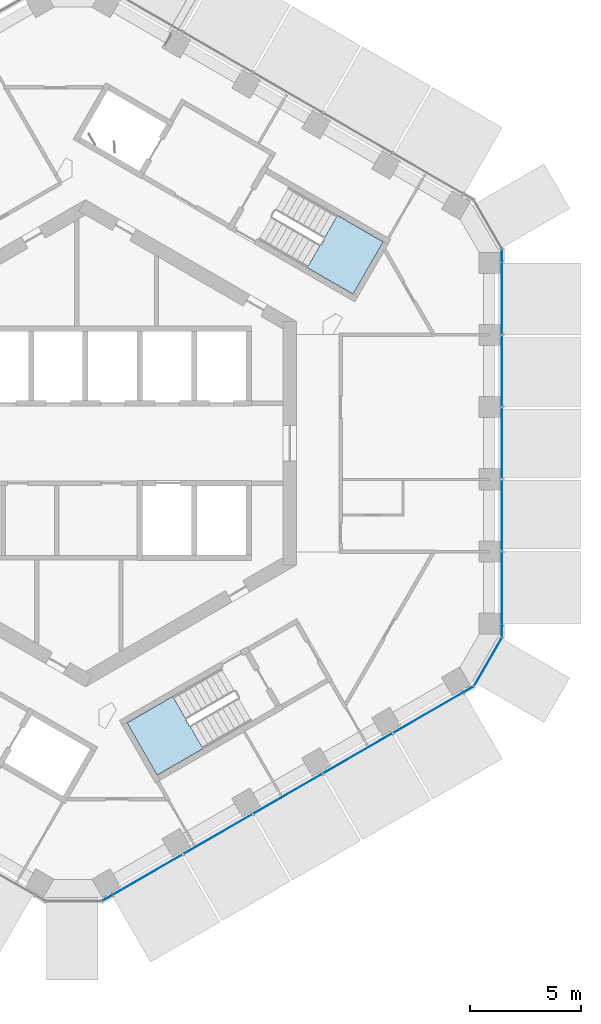
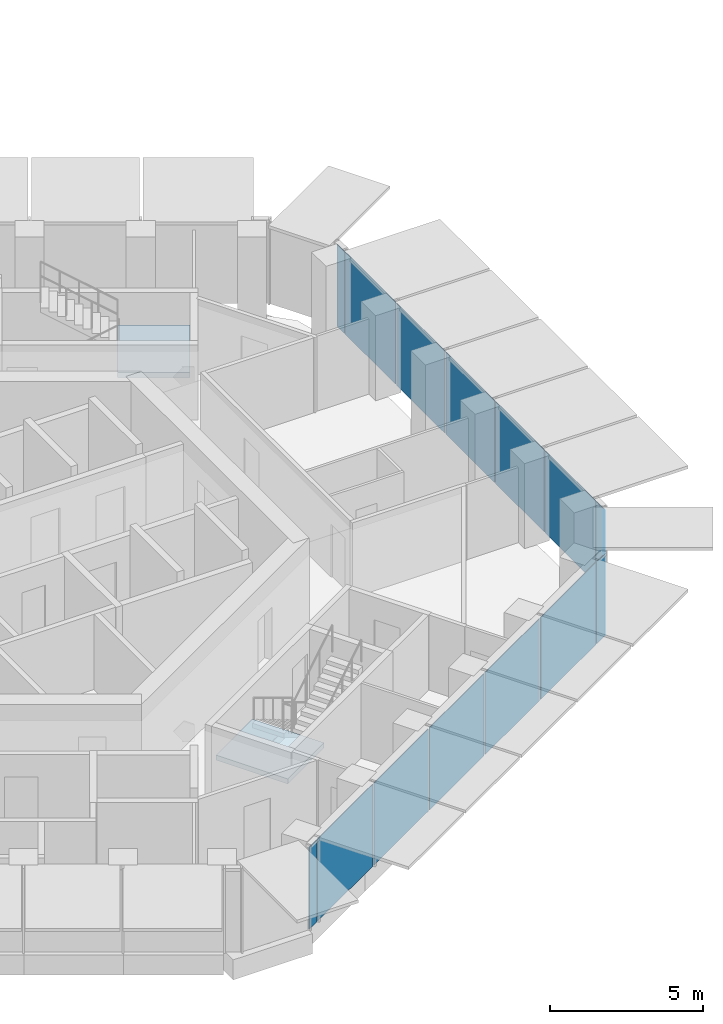
# One storey, part 10 of 21: 15 plates, 2 slabs, 7 elements without a shape of their own.
"""IFC4 building model written with IfcOpenShell, lengths in metres."""

from ifc_helpers import new_model, si_unit, direction, frame, origin, origin_2d, place, context, subcontext, project, spatial, polyline, rectangle, outline, extrude, material, layer, layer_set, type_object, element, aggregate, save


model = new_model("IFC4")

# Units and contexts
model_context = context("Model", 3, precision=1e-05, world=origin(), true_north=direction((0.0, 1.0)))
body_context = subcontext(model_context, "Body", "Model", "MODEL_VIEW")
ifc_project = project(units=[si_unit("LENGTHUNIT", "METRE"), si_unit("AREAUNIT", "SQUARE_METRE"), si_unit("VOLUMEUNIT", "CUBIC_METRE"), si_unit("PLANEANGLEUNIT", "RADIAN"), si_unit("MASSUNIT", "GRAM", prefix="KILO")], contexts=[model_context])

# Site, building, storey
site_placement = place(None, origin())
site = spatial("IfcSite", under=ifc_project, at=site_placement, CompositionType="ELEMENT")
building_placement = place(site_placement, origin())
building = spatial("IfcBuilding", under=site, at=building_placement, Name="Ayvan Gate Tower", CompositionType="ELEMENT")
storey_placement = place(building_placement, frame((0.0, 0.0, 183.300048828125)))
storey = spatial("IfcBuildingStorey", under=building, at=storey_placement, Name="L49", CompositionType="ELEMENT", Elevation=183.300048828125)

# Stair, slab
ifc_material_1 = material(Name="Concrete C40/50", Category="concrete")
stair_type = type_object("IfcStairType", Name="ST-EXIT", PredefinedType="HALF_TURN_STAIR", material=ifc_material_1)
stair_1_placement = place(storey_placement, origin())
stair_1 = element("IfcStair", 1, at=stair_1_placement, inside=storey, type_object=stair_type, Name="L49 Exit Stair S1", PredefinedType="HALF_TURN_STAIR")
ifc_layer_1 = layer(ifc_material_1, 0.199951171875)
ifc_layer_set_1 = layer_set([ifc_layer_1], Name="Concrete C40/50")
slab_type = type_object("IfcSlabType", Name="SL-LANDING-200", PredefinedType="LANDING", material=ifc_layer_set_1)
slab_1_placement = place(storey_placement, frame((0.0, 0.0, 1.5)))
slab_1 = element("IfcSlab", 2, at=slab_1_placement, type_object=slab_type, Name="STS1 landing 1", PredefinedType="LANDING", context=body_context, shape_type="SweptSolid", body=[
    extrude(outline(polyline([(9.988525390625, 7.91064453125), (12.049560546875, 6.720458984375), (13.404541015625, 9.0673828125), (11.343505859375, 10.257568359375), (9.988525390625, 7.91064453125)])), origin(), (0.0, 0.0, 1.0), 0.199951171875),
])
aggregate(stair_1, [slab_1])

stair_2_placement = place(storey_placement, origin())
stair_2 = element("IfcStair", 3, at=stair_2_placement, inside=storey, type_object=stair_type, Name="L49 Exit Stair S3", PredefinedType="HALF_TURN_STAIR")
slab_2_placement = place(storey_placement, frame((0.0, 0.0, 1.5)))
slab_2 = element("IfcSlab", 4, at=slab_2_placement, type_object=slab_type, Name="STS3 landing 1", PredefinedType="LANDING", context=body_context, shape_type="SweptSolid", body=[
    extrude(outline(polyline([(3.93505859375, -11.405517578125), (1.873779296875, -12.595458984375), (3.228759765625, -14.9423828125), (5.2900390625, -13.75244140625), (3.93505859375, -11.405517578125)])), origin(), (0.0, 0.0, 1.0), 0.199951171875),
])
aggregate(stair_2, [slab_2])

# Curtain wall, plates
ifc_material_2 = material(Name="Bronze anodised aluminium", Category="aluminium")
ifc_layer_2 = layer(ifc_material_2, 0.199951171875)
ifc_layer_set_2 = layer_set([ifc_layer_2], Name="Bronze anodised aluminium")
curtain_wall_type_1 = type_object("IfcCurtainWallType", Name="Stick curtain wall CW-2", PredefinedType="NOTDEFINED", material=ifc_layer_set_2)
curtain_wall_1_placement = place(storey_placement, origin())
curtain_wall_1 = element("IfcCurtainWall", 5, at=curtain_wall_1_placement, inside=storey, type_object=curtain_wall_type_1, Name="Stick curtain wall CW-2 L49", PredefinedType="NOTDEFINED")
ifc_material_3 = material(Name="Clear low-iron laminated glass", Category="glass")
ifc_layer_3 = layer(ifc_material_3, 0.028076171875)
ifc_layer_set_3 = layer_set([ifc_layer_3], Name="Clear low-iron laminated glass")
plate_type_1 = type_object("IfcPlateType", Name="Stick curtain wall CW-2 glass panel", PredefinedType="CURTAIN_PANEL", material=ifc_layer_set_3)
plate_1_placement = place(storey_placement, frame((2.788330078125, -19.4375, 0.0), z_axis=(0.0, 0.0, 1.0), x_axis=(0.866025403784, 0.5, 0.0)))
plate_1 = element("IfcPlate", 6, at=plate_1_placement, type_object=plate_type_1, Name="CW-2 glass panel 1", PredefinedType="CURTAIN_PANEL", context=body_context, shape_type="SweptSolid", body=[
    extrude(rectangle(XDim=3.6259765625, YDim=0.028076171875, at=origin_2d()), origin(), (0.0, 0.0, 1.0), 3.280029296875),
])
plate_2_placement = place(storey_placement, frame((5.963623046875, -17.604248046875, 0.0), z_axis=(0.0, 0.0, 1.0), x_axis=(0.866025403784, 0.5, 0.0)))
plate_2 = element("IfcPlate", 7, at=plate_2_placement, type_object=plate_type_1, Name="CW-2 glass panel 2", PredefinedType="CURTAIN_PANEL", context=body_context, shape_type="SweptSolid", body=[
    extrude(rectangle(XDim=3.56689453125, YDim=0.028076171875, at=origin_2d()), origin(), (0.0, 0.0, 1.0), 3.280029296875),
])
plate_3_placement = place(storey_placement, frame((9.11376953125, -15.785400390625, 0.0), z_axis=(0.0, 0.0, 1.0), x_axis=(0.866025403784, 0.5, 0.0)))
plate_3 = element("IfcPlate", 8, at=plate_3_placement, type_object=plate_type_1, Name="CW-2 glass panel 3", PredefinedType="CURTAIN_PANEL", context=body_context, shape_type="SweptSolid", body=[
    extrude(rectangle(XDim=3.568115234375, YDim=0.028076171875, at=origin_2d()), origin(), (0.0, 0.0, 1.0), 3.280029296875),
])
plate_4_placement = place(storey_placement, frame((12.263916015625, -13.966552734375, 0.0), z_axis=(0.0, 0.0, 1.0), x_axis=(0.866025403784, 0.5, 0.0)))
plate_4 = element("IfcPlate", 9, at=plate_4_placement, type_object=plate_type_1, Name="CW-2 glass panel 4", PredefinedType="CURTAIN_PANEL", context=body_context, shape_type="SweptSolid", body=[
    extrude(rectangle(XDim=3.56689453125, YDim=0.028076171875, at=origin_2d()), origin(), (0.0, 0.0, 1.0), 3.280029296875),
])
plate_5_placement = place(storey_placement, frame((15.439208984375, -12.13330078125, 0.0), z_axis=(0.0, 0.0, 1.0), x_axis=(0.866025403784, 0.5, 0.0)))
plate_5 = element("IfcPlate", 10, at=plate_5_placement, type_object=plate_type_1, Name="CW-2 glass panel 5", PredefinedType="CURTAIN_PANEL", context=body_context, shape_type="SweptSolid", body=[
    extrude(rectangle(XDim=3.6259765625, YDim=0.028076171875, at=origin_2d()), origin(), (0.0, 0.0, 1.0), 3.280029296875),
])
aggregate(curtain_wall_1, [plate_1, plate_2, plate_3, plate_4, plate_5])

curtain_wall_2_placement = place(storey_placement, origin())
curtain_wall_2 = element("IfcCurtainWall", 11, at=curtain_wall_2_placement, inside=storey, type_object=curtain_wall_type_1, Name="Stick curtain wall CW-2 L49", PredefinedType="NOTDEFINED")
plate_6_placement = place(storey_placement, frame((18.761474609375, -6.54833984375, 0.0), z_axis=(0.0, 0.0, 1.0), x_axis=(0.0, 1.0, 0.0)))
plate_6 = element("IfcPlate", 12, at=plate_6_placement, type_object=plate_type_1, Name="CW-2 glass panel 1", PredefinedType="CURTAIN_PANEL", context=body_context, shape_type="SweptSolid", body=[
    extrude(rectangle(XDim=3.287109375, YDim=0.028076171875, at=origin_2d()), origin(), (0.0, 0.0, 1.0), 3.280029296875),
])
plate_7_placement = place(storey_placement, frame((18.761474609375, -3.246337890625, 0.0), z_axis=(0.0, 0.0, 1.0), x_axis=(0.0, 1.0, 0.0)))
plate_7 = element("IfcPlate", 13, at=plate_7_placement, type_object=plate_type_1, Name="CW-2 glass panel 2", PredefinedType="CURTAIN_PANEL", context=body_context, shape_type="SweptSolid", body=[
    extrude(rectangle(XDim=3.177001953125, YDim=0.028076171875, at=origin_2d()), origin(), (0.0, 0.0, 1.0), 3.280029296875),
])
plate_8_placement = place(storey_placement, frame((18.761474609375, 0.0, 0.0), z_axis=(0.0, 0.0, 1.0), x_axis=(0.0, 1.0, 0.0)))
plate_8 = element("IfcPlate", 14, at=plate_8_placement, type_object=plate_type_1, Name="CW-2 glass panel 3", PredefinedType="CURTAIN_PANEL", context=body_context, shape_type="SweptSolid", body=[
    extrude(rectangle(XDim=3.176025390625, YDim=0.028076171875, at=origin_2d()), origin(), (0.0, 0.0, 1.0), 3.280029296875),
])
plate_9_placement = place(storey_placement, frame((18.761474609375, 3.24658203125, 0.0), z_axis=(0.0, 0.0, 1.0), x_axis=(0.0, 1.0, 0.0)))
plate_9 = element("IfcPlate", 15, at=plate_9_placement, type_object=plate_type_1, Name="CW-2 glass panel 4", PredefinedType="CURTAIN_PANEL", context=body_context, shape_type="SweptSolid", body=[
    extrude(rectangle(XDim=3.177001953125, YDim=0.028076171875, at=origin_2d()), origin(), (0.0, 0.0, 1.0), 3.280029296875),
])
plate_10_placement = place(storey_placement, frame((18.761474609375, 6.548583984375, 0.0), z_axis=(0.0, 0.0, 1.0), x_axis=(0.0, 1.0, 0.0)))
plate_10 = element("IfcPlate", 16, at=plate_10_placement, type_object=plate_type_1, Name="CW-2 glass panel 5", PredefinedType="CURTAIN_PANEL", context=body_context, shape_type="SweptSolid", body=[
    extrude(rectangle(XDim=3.286865234375, YDim=0.028076171875, at=origin_2d()), origin(), (0.0, 0.0, 1.0), 3.280029296875),
])
aggregate(curtain_wall_2, [plate_6, plate_7, plate_8, plate_9, plate_10])

# Curtain wall, plate
ifc_layer_4 = layer(ifc_material_2, 0.199951171875)
ifc_layer_set_4 = layer_set([ifc_layer_4], Name="Bronze anodised aluminium")
curtain_wall_type_2 = type_object("IfcCurtainWallType", Name="Stick curtain wall CW-6", PredefinedType="NOTDEFINED", material=ifc_layer_set_4)
curtain_wall_3_placement = place(storey_placement, origin())
curtain_wall_3 = element("IfcCurtainWall", 17, at=curtain_wall_3_placement, inside=storey, type_object=curtain_wall_type_2, Name="Stick curtain wall CW-6 L49", PredefinedType="NOTDEFINED")
ifc_layer_5 = layer(ifc_material_3, 0.028076171875)
ifc_layer_set_5 = layer_set([ifc_layer_5], Name="Clear low-iron laminated glass")
plate_type_2 = type_object("IfcPlateType", Name="Stick curtain wall CW-6 glass panel", PredefinedType="CURTAIN_PANEL", material=ifc_layer_set_5)
plate_11_placement = place(storey_placement, frame((0.97119140625, -20.486328125, 0.0), z_axis=(0.0, 0.0, 1.0), x_axis=(0.866025403784, 0.5, 0.0)))
plate_11 = element("IfcPlate", 18, at=plate_11_placement, type_object=plate_type_2, Name="CW-6 glass panel 3", PredefinedType="CURTAIN_PANEL", context=body_context, shape_type="SweptSolid", body=[
    extrude(rectangle(XDim=0.5, YDim=0.028076171875, at=origin_2d()), origin(), (0.0, 0.0, 1.0), 3.280029296875),
])
aggregate(curtain_wall_3, [plate_11])

# Curtain wall, plates
curtain_wall_4_placement = place(storey_placement, origin())
curtain_wall_4 = element("IfcCurtainWall", 19, at=curtain_wall_4_placement, inside=storey, type_object=curtain_wall_type_2, Name="Stick curtain wall CW-6 L49", PredefinedType="NOTDEFINED")
plate_12_placement = place(storey_placement, frame((17.256103515625, -11.08447265625, 0.0), z_axis=(0.0, 0.0, 1.0), x_axis=(0.866025403784, 0.5, 0.0)))
plate_12 = element("IfcPlate", 20, at=plate_12_placement, type_object=plate_type_2, Name="CW-6 glass panel 1", PredefinedType="CURTAIN_PANEL", context=body_context, shape_type="SweptSolid", body=[
    extrude(rectangle(XDim=0.5, YDim=0.028076171875, at=origin_2d()), origin(), (0.0, 0.0, 1.0), 3.280029296875),
])
plate_13_placement = place(storey_placement, frame((18.1279296875, -9.849365234375, 0.0), z_axis=(0.0, 0.0, 1.0), x_axis=(0.5, 0.866025403784, 0.0)))
plate_13 = element("IfcPlate", 21, at=plate_13_placement, type_object=plate_type_2, Name="CW-6 glass panel 2", PredefinedType="CURTAIN_PANEL", context=body_context, shape_type="SweptSolid", body=[
    extrude(rectangle(XDim=2.484619140625, YDim=0.028076171875, at=origin_2d()), origin(), (0.0, 0.0, 1.0), 3.280029296875),
])
plate_14_placement = place(storey_placement, frame((18.761474609375, -8.476806640625, 0.0), z_axis=(0.0, 0.0, 1.0), x_axis=(0.0, 1.0, 0.0)))
plate_14 = element("IfcPlate", 22, at=plate_14_placement, type_object=plate_type_2, Name="CW-6 glass panel 3", PredefinedType="CURTAIN_PANEL", context=body_context, shape_type="SweptSolid", body=[
    extrude(rectangle(XDim=0.5, YDim=0.028076171875, at=origin_2d()), origin(), (0.0, 0.0, 1.0), 3.280029296875),
])
aggregate(curtain_wall_4, [plate_12, plate_13, plate_14])

# Curtain wall, plate
curtain_wall_5_placement = place(storey_placement, origin())
curtain_wall_5 = element("IfcCurtainWall", 23, at=curtain_wall_5_placement, inside=storey, type_object=curtain_wall_type_2, Name="Stick curtain wall CW-6 L49", PredefinedType="NOTDEFINED")
plate_15_placement = place(storey_placement, frame((18.761474609375, 8.476806640625, 0.0), z_axis=(0.0, 0.0, 1.0), x_axis=(0.0, 1.0, 0.0)))
plate_15 = element("IfcPlate", 24, at=plate_15_placement, type_object=plate_type_2, Name="CW-6 glass panel 1", PredefinedType="CURTAIN_PANEL", context=body_context, shape_type="SweptSolid", body=[
    extrude(rectangle(XDim=0.5, YDim=0.028076171875, at=origin_2d()), origin(), (0.0, 0.0, 1.0), 3.280029296875),
])
aggregate(curtain_wall_5, [plate_15])

save(model, "model.ifc")
